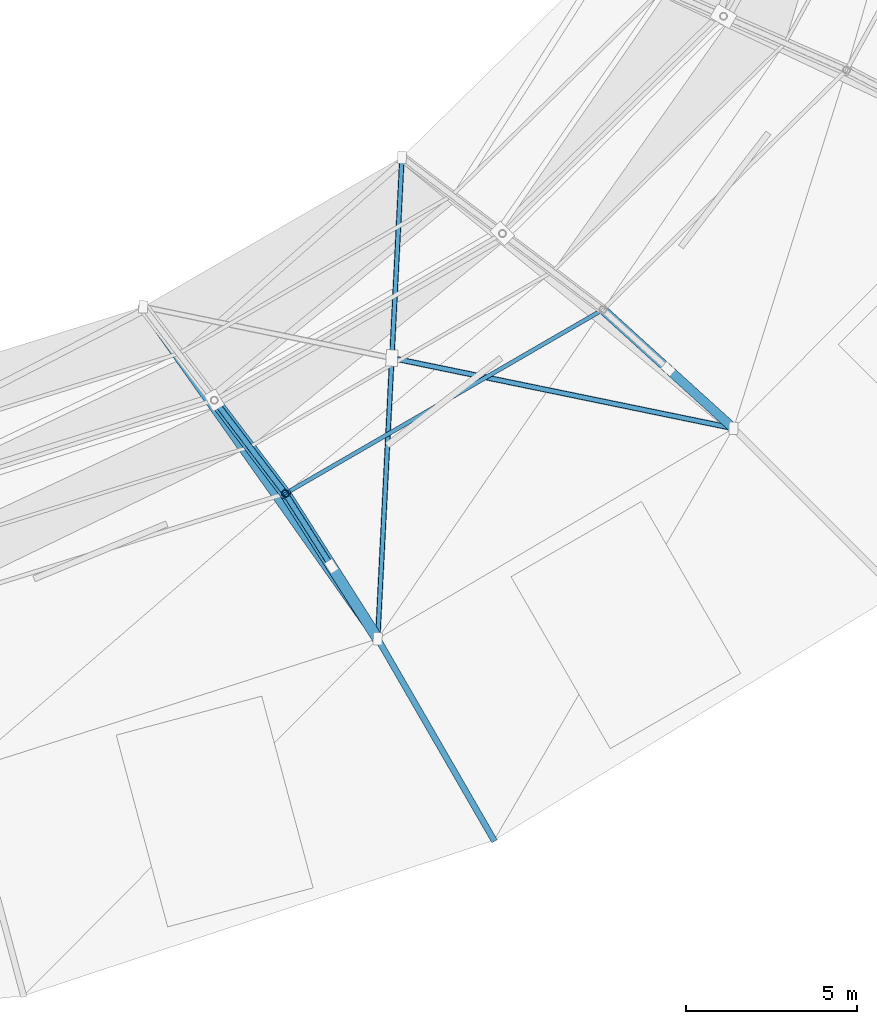
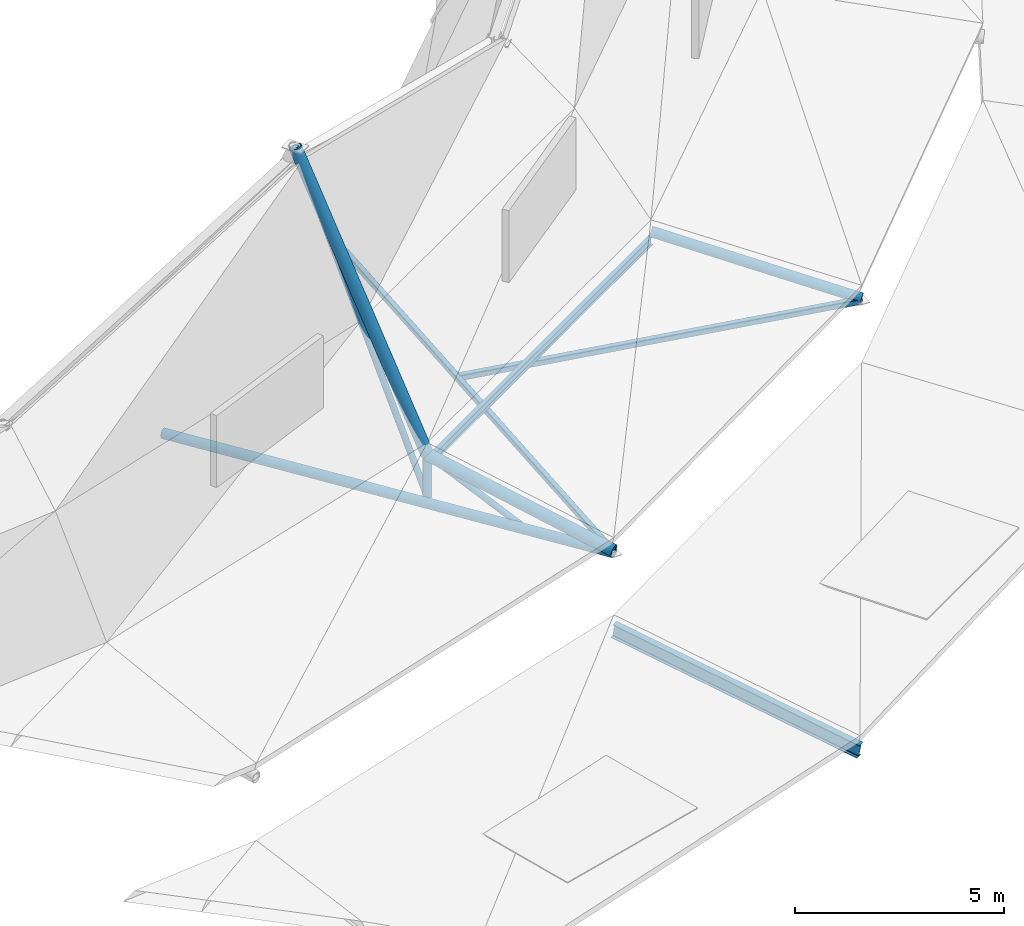
# One storey, part 4 of 36: 9 members, 2 beams.
"""IFC4 building model written with IfcOpenShell, lengths in metres."""

from ifc_helpers import new_model, si_unit, direction, frame, origin, origin_2d, place, context, subcontext, project, spatial, hollow_rectangle, hollow_circle, i_section, extrude, material, material_profile, profile_set, type_object, element, save


model = new_model("IFC4")

# Units and contexts
model_context = context("Model", 3, precision=1e-05, world=origin(), true_north=direction((0.0, 1.0)))
body_context = subcontext(model_context, "Body", "Model", "MODEL_VIEW")
ifc_project = project(units=[si_unit("LENGTHUNIT", "METRE"), si_unit("AREAUNIT", "SQUARE_METRE"), si_unit("VOLUMEUNIT", "CUBIC_METRE"), si_unit("PLANEANGLEUNIT", "RADIAN"), si_unit("MASSUNIT", "GRAM", prefix="KILO")], contexts=[model_context])

# Site, building, storey
site_placement = place(None, origin())
site = spatial("IfcSite", under=ifc_project, at=site_placement, CompositionType="ELEMENT")
building_placement = place(site_placement, origin())
building = spatial("IfcBuilding", under=site, at=building_placement, Name="Kildeholm Park Wholesale Market", CompositionType="ELEMENT")
storey_placement = place(building_placement, frame((0.0, 0.0, 17.39990234375)))
storey = spatial("IfcBuildingStorey", under=building, at=storey_placement, Name="Roof", CompositionType="ELEMENT", Elevation=17.39990234375)

# Beams
ifc_material = material(Name="Steel S355", Category="steel")
ifc_material_profile_1 = material_profile(ifc_material, i_section(OverallWidth=0.179931640625, OverallDepth=0.39990234375, WebThickness=0.008544921875, FlangeThickness=0.013427734375, FilletRadius=0.02099609375, at=origin_2d()), Name="IPE 400")
ifc_profile_set_1 = profile_set([ifc_material_profile_1], Name="Steel S355")
beam_type_1 = type_object("IfcBeamType", Name="Beam B-P01 IPE 400", PredefinedType="BEAM", material=ifc_profile_set_1)
beam_1_placement = place(storey_placement, frame((127.5, 50.095947265625, -8.0244140625), z_axis=(-0.492978620712, 0.853915717996, 0.166733398216), x_axis=(-0.866038511948, -0.499977295307, 0.0)))
element("IfcBeam", 1, at=beam_1_placement, inside=storey, type_object=beam_type_1, Name="Beam BM-V1-RF-S1-20 BM-0339", PredefinedType="BEAM", context=body_context, shape_type="SweptSolid", body=[
    extrude(i_section(OverallWidth=0.179931640625, OverallDepth=0.39990234375, WebThickness=0.008544921875, FlangeThickness=0.013427734375, FilletRadius=0.02099609375, at=origin_2d()), origin(), (0.0, 0.0, 1.0), 6.896728515625),
])
ifc_material_profile_2 = material_profile(ifc_material, hollow_circle(Radius=0.136474609375, WallThickness=0.01611328125, at=origin_2d()), Name="CHS 273x16")
ifc_profile_set_2 = profile_set([ifc_material_profile_2], Name="Steel S355")
beam_type_2 = type_object("IfcBeamType", Name="Beam B-T01 CHS 273x16", PredefinedType="BEAM", material=ifc_profile_set_2)
beam_2_placement = place(storey_placement, frame((124.10009765625, 55.985107421875, -4.6298828125), z_axis=(-0.576894674263, 0.816818544603, 0.0), x_axis=(-0.816818544603, -0.576894674263, 0.0)))
element("IfcBeam", 2, at=beam_2_placement, inside=storey, type_object=beam_type_2, Name="Beam BM-V1-TIE-20 BM-0344", PredefinedType="BEAM", context=body_context, shape_type="SweptSolid", body=[
    extrude(hollow_circle(Radius=0.136474609375, WallThickness=0.01611328125, at=origin_2d()), origin(), (0.0, 0.0, 1.0), 11.8740234375),
])

# Members
ifc_material_profile_3 = material_profile(ifc_material, i_section(OverallWidth=0.1201171875, OverallDepth=0.239990234375, WebThickness=0.006103515625, FlangeThickness=0.009765625, FilletRadius=0.014892578125, at=origin_2d()), Name="IPE 240")
ifc_profile_set_3 = profile_set([ifc_material_profile_3], Name="Steel S355")
member_type_1 = type_object("IfcMemberType", Name="Member PR-02 IPE 240", PredefinedType="PURLIN", material=ifc_profile_set_3)
member_1_placement = place(storey_placement, frame((121.39990234375, 60.22802734375, -3.631591796875), z_axis=(0.865403937833, 0.501074869039, 0.0), x_axis=(-0.501074869039, 0.865403937833, 0.0)))
element("IfcMember", 3, at=member_1_placement, inside=storey, type_object=member_type_1, Name="Member PR-V1-STP2-20 MEM-0264", PredefinedType="PURLIN", context=body_context, shape_type="SweptSolid", body=[
    extrude(i_section(OverallWidth=0.1201171875, OverallDepth=0.239990234375, WebThickness=0.006103515625, FlangeThickness=0.009765625, FilletRadius=0.014892578125, at=origin_2d()), origin(), (0.0, 0.0, 1.0), 10.72119140625),
])
ifc_material_profile_4 = material_profile(ifc_material, hollow_circle(Radius=0.084228515625, WallThickness=0.010009765625, at=origin_2d()), Name="CHS 168.3x10")
ifc_profile_set_4 = profile_set([ifc_material_profile_4], Name="Steel S355")
member_type_2 = type_object("IfcMemberType", Name="Member TB-01 CHS 168.3x10", PredefinedType="BRACE", material=ifc_profile_set_4)
member_2_placement = place(storey_placement, frame((122.75, 58.10595703125, -4.6298828125), z_axis=(-0.481456033698, 0.756747892387, 0.442190812866), x_axis=(-0.843717440155, -0.53678755684, 0.0)))
element("IfcMember", 4, at=member_2_placement, inside=storey, type_object=member_type_2, Name="Member TR-V1-20-WB1 MEM-0261", PredefinedType="BRACE", context=body_context, shape_type="SweptSolid", body=[
    extrude(hollow_circle(Radius=0.084228515625, WallThickness=0.010009765625, at=origin_2d()), origin(), (0.0, 0.0, 1.0), 2.80419921875),
])
member_3_placement = place(storey_placement, frame((121.39990234375, 60.22802734375, -4.6298828125), z_axis=(-0.209545726635, 0.275498758609, 0.93818496175), x_axis=(-0.795930166757, -0.605388445254, 0.0)))
element("IfcMember", 5, at=member_3_placement, inside=storey, type_object=member_type_2, Name="Member TR-V1-20-WB2 MEM-0262", PredefinedType="BRACE", context=body_context, shape_type="SweptSolid", body=[
    extrude(hollow_circle(Radius=0.084228515625, WallThickness=0.010009765625, at=origin_2d()), origin(), (0.0, 0.0, 1.0), 9.902099609375),
])
ifc_material_profile_5 = material_profile(ifc_material, hollow_circle(Radius=0.109619140625, WallThickness=0.012451171875, at=origin_2d()), Name="CHS 219.1x12.5")
ifc_profile_set_5 = profile_set([ifc_material_profile_5], Name="Steel S355")
member_type_3 = type_object("IfcMemberType", Name="Member TB-02 CHS 219.1x12.5", PredefinedType="BRACE", material=ifc_profile_set_5)
member_4_placement = place(storey_placement, frame((121.39990234375, 60.22802734375, -4.6298828125), z_axis=(0.0, 0.0, 1.0), x_axis=(1.0, 0.0, 0.0)))
element("IfcMember", 6, at=member_4_placement, inside=storey, type_object=member_type_3, Name="Member TR-V1-20-VT1 MEM-0259", PredefinedType="BRACE", context=body_context, shape_type="SweptSolid", body=[
    extrude(hollow_circle(Radius=0.109619140625, WallThickness=0.012451171875, at=origin_2d()), origin(), (0.0, 0.0, 1.0), 1.239990234375),
])
ifc_material_profile_6 = material_profile(ifc_material, hollow_rectangle(XDim=0.14990234375, YDim=0.14990234375, WallThickness=0.010009765625, InnerFilletRadius=0.010009765625, OuterFilletRadius=0.02001953125, at=origin_2d()), Name="SHS 150x150x10")
ifc_profile_set_6 = profile_set([ifc_material_profile_6], Name="Steel S355")
member_type_4 = type_object("IfcMemberType", Name="Member TB-03 SHS 150x150x10", PredefinedType="BRACE", material=ifc_profile_set_6)
member_5_placement = place(storey_placement, frame((124.10009765625, 55.985107421875, -4.6298828125), z_axis=(0.05032656769, 0.998732815414, 0.0), x_axis=(-0.998732815414, 0.05032656769, 0.0)))
element("IfcMember", 7, at=member_5_placement, inside=storey, type_object=member_type_4, Name="Member BR-V1-RF-20-1 MEM-0268", PredefinedType="BRACE", context=body_context, shape_type="SweptSolid", body=[
    extrude(hollow_rectangle(XDim=0.14990234375, YDim=0.14990234375, WallThickness=0.010009765625, InnerFilletRadius=0.010009765625, OuterFilletRadius=0.02001953125, at=origin_2d()), origin(), (0.0, 0.0, 1.0), 14.087646484375),
])
ifc_material_profile_7 = material_profile(ifc_material, hollow_rectangle(XDim=0.159912109375, YDim=0.159912109375, WallThickness=0.010009765625, InnerFilletRadius=0.010009765625, OuterFilletRadius=0.02001953125, at=origin_2d()), Name="SHS 160x160x10")
ifc_profile_set_7 = profile_set([ifc_material_profile_7], Name="Steel S355")
member_type_5 = type_object("IfcMemberType", Name="Member TB-04 SHS 160x160x10", PredefinedType="BRACE", material=ifc_profile_set_7)
member_6_placement = place(storey_placement, frame((134.4970703125, 62.135009765625, -4.6298828125), z_axis=(-0.979477013823, 0.201555896444, 0.0), x_axis=(-0.201555896444, -0.979477013823, 0.0)))
element("IfcMember", 8, at=member_6_placement, inside=storey, type_object=member_type_5, Name="Member BR-V1-RF-20-2A MEM-0269", PredefinedType="BRACE", context=body_context, shape_type="SweptSolid", body=[
    extrude(hollow_rectangle(XDim=0.159912109375, YDim=0.159912109375, WallThickness=0.010009765625, InnerFilletRadius=0.010009765625, OuterFilletRadius=0.02001953125, at=origin_2d()), origin(), (0.0, 0.0, 1.0), 10.15283203125),
])
ifc_material_profile_8 = material_profile(ifc_material, hollow_circle(Radius=0.161865234375, WallThickness=0.01611328125, at=origin_2d()), Name="CHS 323.9x16")
ifc_profile_set_8 = profile_set([ifc_material_profile_8], Name="Steel S355")
member_type_6 = type_object("IfcMemberType", Name="Member TC-01 CHS 323.9x16", PredefinedType="CHORD", material=ifc_profile_set_8)
member_7_placement = place(storey_placement, frame((124.10009765625, 55.985107421875, -4.579833984375), z_axis=(-0.522472259901, 0.820980597181, 0.230246816886), x_axis=(-0.84364749533, -0.536897479622, 0.0)))
element("IfcMember", 9, at=member_7_placement, inside=storey, type_object=member_type_6, Name="Member TR-V1-20-TC1 MEM-0256", PredefinedType="CHORD", context=body_context, shape_type="SweptSolid", body=[
    extrude(hollow_circle(Radius=0.161865234375, WallThickness=0.01611328125, at=origin_2d()), origin(), (0.0, 0.0, 1.0), 5.168212890625),
])
member_8_placement = place(storey_placement, frame((121.39990234375, 60.22802734375, -3.389892578125), z_axis=(-0.23715533351, 0.311798293521, 0.920075633818), x_axis=(-0.795930166757, -0.605388445254, 0.0)))
element("IfcMember", 10, at=member_8_placement, inside=storey, type_object=member_type_6, Name="Member TR-V1-20-TC2 MEM-0257", PredefinedType="CHORD", context=body_context, shape_type="SweptSolid", body=[
    extrude(hollow_circle(Radius=0.161865234375, WallThickness=0.01611328125, at=origin_2d()), origin(), (0.0, 0.0, 1.0), 8.749267578125),
])
ifc_material_profile_9 = material_profile(ifc_material, hollow_circle(Radius=0.136474609375, WallThickness=0.01611328125, at=origin_2d()), Name="CHS 273x16")
ifc_profile_set_9 = profile_set([ifc_material_profile_9], Name="Steel S355")
member_type_7 = type_object("IfcMemberType", Name="Member TC-02 CHS 273x16", PredefinedType="CHORD", material=ifc_profile_set_9)
member_9_placement = place(storey_placement, frame((134.4970703125, 62.135009765625, -4.579833984375), z_axis=(-0.721634117326, 0.654743529196, 0.224844638998), x_axis=(-0.671949035159, -0.74059739005, 0.0)))
element("IfcMember", 11, at=member_9_placement, inside=storey, type_object=member_type_7, Name="Member TR-V1-21-TC1 MEM-0271", PredefinedType="CHORD", context=body_context, shape_type="SweptSolid", body=[
    extrude(hollow_circle(Radius=0.136474609375, WallThickness=0.01611328125, at=origin_2d()), origin(), (0.0, 0.0, 1.0), 5.292236328125),
])

save(model, "model.ifc")
